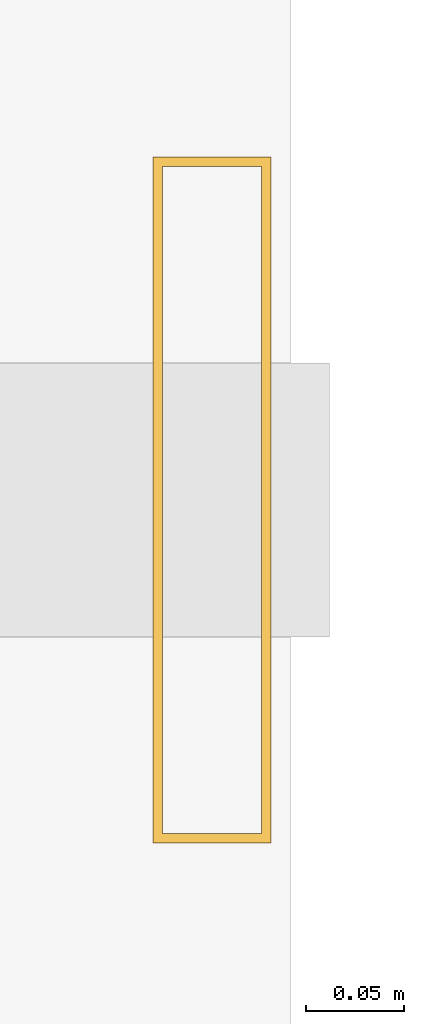
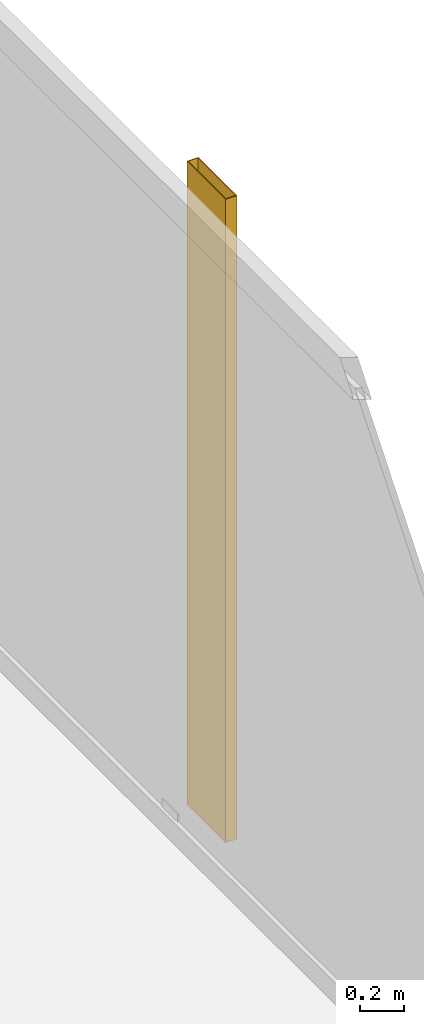
# One storey, part 26 of 26: 1 shading device.
"""IFC4 building model written with IfcOpenShell, lengths in metres."""

from ifc_helpers import new_model, si_unit, direction, frame, origin, origin_2d, place, context, subcontext, project, spatial, hollow_rectangle, extrude, material, material_profile, profile_set, type_object, element, save


model = new_model("IFC4")

# Units and contexts
model_context = context("Model", 3, precision=1e-05, world=origin(), true_north=direction((0.0, 1.0)))
body_context = subcontext(model_context, "Body", "Model", "MODEL_VIEW")
ifc_project = project(units=[si_unit("LENGTHUNIT", "METRE"), si_unit("AREAUNIT", "SQUARE_METRE"), si_unit("VOLUMEUNIT", "CUBIC_METRE"), si_unit("PLANEANGLEUNIT", "RADIAN"), si_unit("MASSUNIT", "GRAM", prefix="KILO")], contexts=[model_context])

# Site, building, storey
site_placement = place(None, origin())
site = spatial("IfcSite", under=ifc_project, at=site_placement, CompositionType="ELEMENT")
building_placement = place(site_placement, origin())
building = spatial("IfcBuilding", under=site, at=building_placement, Name="Kolvaren Waterfront Exchange", CompositionType="ELEMENT")
storey_placement = place(building_placement, frame((0.0, 0.0, 165.199951171875)))
storey = spatial("IfcBuildingStorey", under=building, at=storey_placement, Name="L42", CompositionType="ELEMENT", Elevation=165.199951171875)

# Shading device
ifc_material = material(Name="Anodised bronze aluminium 6063-T6", Category="aluminium")
ifc_material_profile = material_profile(ifc_material, hollow_rectangle(XDim=0.06005859375, YDim=0.35009765625, WallThickness=0.0048828125, at=origin_2d()), Name="BRZ-FIN-350x60x5")
ifc_profile_set = profile_set([ifc_material_profile], Name="Anodised bronze aluminium 6063-T6")
shading_device_type = type_object("IfcShadingDeviceType", Name="ARC-FIN-350", PredefinedType="USERDEFINED", material=ifc_profile_set)
shading_device_placement = place(storey_placement, frame((22.56005859375, 38.39990234375, 0.0), z_axis=(0.0, 0.0, 1.0), x_axis=(1.0, 0.0, 0.0)))
element("IfcShadingDevice", 1, at=shading_device_placement, inside=storey, type_object=shading_device_type, Name="L42 anodised bronze solar shading fin FIN-L42-E3", ObjectType="SOLAR FIN", PredefinedType="USERDEFINED", context=body_context, shape_type="SweptSolid", body=[
    extrude(hollow_rectangle(XDim=0.06005859375, YDim=0.35009765625, WallThickness=0.0048828125, at=origin_2d()), origin(), (0.0, 0.0, 1.0), 3.56005859375),
])

save(model, "model.ifc")
